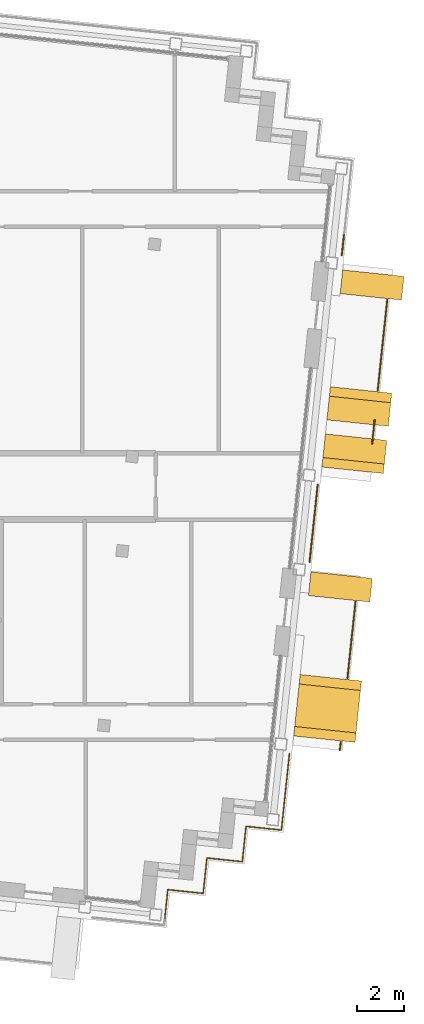
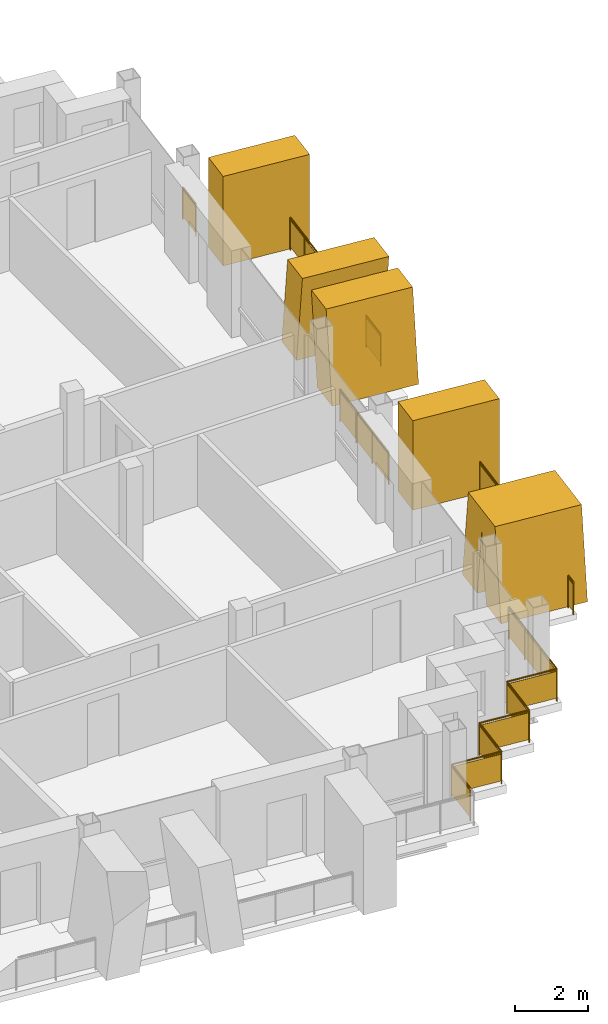
# One storey, part 14 of 16: 7 railings, 5 shading devices.
"""IFC4 building model written with IfcOpenShell, lengths in metres."""

from ifc_helpers import new_model, si_unit, direction, frame, origin, origin_2d, place, context, subcontext, project, spatial, polyline, rectangle, circle, outline, extrude, material, layer, layer_set, type_object, element, save


model = new_model("IFC4")

# Units and contexts
model_context = context("Model", 3, precision=1e-05, world=origin(), true_north=direction((0.0, 1.0)))
body_context = subcontext(model_context, "Body", "Model", "MODEL_VIEW")
ifc_project = project(units=[si_unit("LENGTHUNIT", "METRE"), si_unit("AREAUNIT", "SQUARE_METRE"), si_unit("VOLUMEUNIT", "CUBIC_METRE"), si_unit("PLANEANGLEUNIT", "RADIAN"), si_unit("MASSUNIT", "GRAM", prefix="KILO")], contexts=[model_context])

# Site, building, storey
site_placement = place(None, origin())
site = spatial("IfcSite", under=ifc_project, at=site_placement, CompositionType="ELEMENT")
building_placement = place(site_placement, origin())
building = spatial("IfcBuilding", under=site, at=building_placement, Name="Vidyagriha Tower", CompositionType="ELEMENT")
storey_placement = place(building_placement, frame((0.0, 0.0, 256.300048828125)))
storey = spatial("IfcBuildingStorey", under=building, at=storey_placement, Name="L66", CompositionType="ELEMENT", Elevation=256.300048828125)

# Railings
ifc_material_1 = material(Name="Steel ASTM A500 Grade C black painted", Category="steel")
railing_type_1 = type_object("IfcRailingType", Name="Balcony guard 1100", PredefinedType="BALUSTRADE", material=ifc_material_1)
railing_1_placement = place(storey_placement, frame((32.762451171875, -11.124755859375, 0.0)))
element("IfcRailing", 1, at=railing_1_placement, inside=storey, type_object=railing_type_1, Name="Balcony guard L66 R28.1-1", PredefinedType="BALUSTRADE", context=body_context, shape_type="SweptSolid", body=[
    extrude(circle(Radius=0.02490234375, at=origin_2d()), frame((0.0, 0.0, 1.0751953125), z_axis=(0.104684784518, 0.994505452921, 0.0), x_axis=(-0.994505452921, 0.104684784518, 0.0)), (0.0, 0.0, 1.0), 0.349853515625),
    extrude(circle(Radius=0.02001953125, at=origin_2d()), origin(), (0.0, 0.0, 1.0), 1.050048828125),
    extrude(circle(Radius=0.02001953125, at=origin_2d()), frame((0.03662109375, 0.347900390625, 0.0)), (0.0, 0.0, 1.0), 1.050048828125),
    extrude(rectangle(XDim=0.010009765625, YDim=0.900146484375, at=origin_2d()), frame((0.0, 0.0, 0.550048828125), z_axis=(0.104684784518, 0.994505452921, 0.0), x_axis=(-0.994505452921, 0.104684784518, 0.0)), (0.0, 0.0, 1.0), 0.349853515625),
])
railing_2_placement = place(storey_placement, frame((33.081298828125, -8.091552734375, 0.0)))
element("IfcRailing", 2, at=railing_2_placement, inside=storey, type_object=railing_type_1, Name="Balcony guard L66 R28.1-2", PredefinedType="BALUSTRADE", context=body_context, shape_type="SweptSolid", body=[
    extrude(circle(Radius=0.02490234375, at=origin_2d()), frame((0.0, 0.0, 1.0751953125), z_axis=(0.104567472619, 0.994517794547, 0.0), x_axis=(-0.994517794547, 0.104567472619, 0.0)), (0.0, 0.0, 1.0), 3.25),
    extrude(circle(Radius=0.02001953125, at=origin_2d()), origin(), (0.0, 0.0, 1.0), 1.050048828125),
    extrude(circle(Radius=0.02001953125, at=origin_2d()), frame((0.11328125, 1.077392578125, 0.0)), (0.0, 0.0, 1.0), 1.050048828125),
    extrude(circle(Radius=0.02001953125, at=origin_2d()), frame((0.2265625, 2.15478515625, 0.0)), (0.0, 0.0, 1.0), 1.050048828125),
    extrude(circle(Radius=0.02001953125, at=origin_2d()), frame((0.33984375, 3.232177734375, 0.0)), (0.0, 0.0, 1.0), 1.050048828125),
    extrude(rectangle(XDim=0.010009765625, YDim=0.900146484375, at=origin_2d()), frame((0.0, 0.0, 0.550048828125), z_axis=(0.104567472619, 0.994517794547, 0.0), x_axis=(-0.994517794547, 0.104567472619, 0.0)), (0.0, 0.0, 1.0), 3.25),
])
railing_3_placement = place(storey_placement, frame((34.121826171875, 1.807373046875, 0.0)))
element("IfcRailing", 3, at=railing_3_placement, inside=storey, type_object=railing_type_1, Name="Balcony guard L66 R28.2-1", PredefinedType="BALUSTRADE", context=body_context, shape_type="SweptSolid", body=[
    extrude(circle(Radius=0.02490234375, at=origin_2d()), frame((0.0, 0.0, 1.0751953125), z_axis=(0.104467261141, 0.994528326067, 0.0), x_axis=(-0.994528326067, 0.104467261141, 0.0)), (0.0, 0.0, 1.0), 0.9931640625),
    extrude(circle(Radius=0.02001953125, at=origin_2d()), origin(), (0.0, 0.0, 1.0), 1.050048828125),
    extrude(circle(Radius=0.02001953125, at=origin_2d()), frame((0.103759765625, 0.98779296875, 0.0)), (0.0, 0.0, 1.0), 1.050048828125),
    extrude(rectangle(XDim=0.010009765625, YDim=0.900146484375, at=origin_2d()), frame((0.0, 0.0, 0.550048828125), z_axis=(0.104467261141, 0.994528326067, 0.0), x_axis=(-0.994528326067, 0.104467261141, 0.0)), (0.0, 0.0, 1.0), 0.9931640625),
])
railing_4_placement = place(storey_placement, frame((34.356689453125, 4.041748046875, 0.0)))
element("IfcRailing", 4, at=railing_4_placement, inside=storey, type_object=railing_type_1, Name="Balcony guard L66 R28.2-2", PredefinedType="BALUSTRADE", context=body_context, shape_type="SweptSolid", body=[
    extrude(circle(Radius=0.02490234375, at=origin_2d()), frame((0.0, 0.0, 1.0751953125), z_axis=(0.104506528251, 0.994524200587, 0.0), x_axis=(-0.994524200587, 0.104506528251, 0.0)), (0.0, 0.0, 1.0), 3.849853515625),
    extrude(circle(Radius=0.02001953125, at=origin_2d()), origin(), (0.0, 0.0, 1.0), 1.050048828125),
    extrude(circle(Radius=0.02001953125, at=origin_2d()), frame((0.1005859375, 0.957275390625, 0.0)), (0.0, 0.0, 1.0), 1.050048828125),
    extrude(circle(Radius=0.02001953125, at=origin_2d()), frame((0.201171875, 1.91455078125, 0.0)), (0.0, 0.0, 1.0), 1.050048828125),
    extrude(circle(Radius=0.02001953125, at=origin_2d()), frame((0.3017578125, 2.87158203125, 0.0)), (0.0, 0.0, 1.0), 1.050048828125),
    extrude(circle(Radius=0.02001953125, at=origin_2d()), frame((0.40234375, 3.828857421875, 0.0)), (0.0, 0.0, 1.0), 1.050048828125),
    extrude(rectangle(XDim=0.010009765625, YDim=0.900146484375, at=origin_2d()), frame((0.0, 0.0, 0.550048828125), z_axis=(0.104506528251, 0.994524200587, 0.0), x_axis=(-0.994524200587, 0.104506528251, 0.0)), (0.0, 0.0, 1.0), 3.849853515625),
])

# Shading devices
ifc_material_2 = material(Name="Precast concrete C40/50 with buff brick facing", Category="concrete")
ifc_layer_1 = layer(ifc_material_2, 1.0)
ifc_layer_set_1 = layer_set([ifc_layer_1], Name="Precast concrete C40/50 with buff brick facing")
shading_device_type_1 = type_object("IfcShadingDeviceType", Name="Brick-faced blade fin arm leaning 8 degrees", PredefinedType="USERDEFINED", material=ifc_layer_set_1)
shading_device_1_placement = place(storey_placement, frame((33.2998046875, 0.68359375, 0.0), z_axis=(0.0, 0.0, 1.0), x_axis=(0.104457839748, 0.994529315664, 0.0)))
element("IfcShadingDevice", 5, at=shading_device_1_placement, inside=storey, type_object=shading_device_type_1, Name="Leaning blade fin L66 R28.1390a", ObjectType="BLADE FIN", PredefinedType="USERDEFINED", context=body_context, shape_type="SweptSolid", body=[
    extrude(outline(polyline([(0.0, 0.0), (1.0, 0.0), (1.39990234375, 3.0), (0.39990234375, 3.0), (0.0, 0.0)])), frame((0.0, 1.300048828125, 0.0), z_axis=(0.0, -1.0, 0.0), x_axis=(1.0, 0.0, 0.0)), (0.0, 0.0, 1.0), 2.60009765625),
])
shading_device_2_placement = place(storey_placement, frame((33.5087890625, 2.672607421875, 0.0), z_axis=(0.0, 0.0, 1.0), x_axis=(0.104612176701, 0.99451309317, 0.0)))
element("IfcShadingDevice", 6, at=shading_device_2_placement, inside=storey, type_object=shading_device_type_1, Name="Leaning blade fin L66 R28.1390b", ObjectType="BLADE FIN", PredefinedType="USERDEFINED", context=body_context, shape_type="SweptSolid", body=[
    extrude(outline(polyline([(0.39990234375, 0.0), (1.39990234375, 0.0), (1.0, 3.0), (0.0, 3.0), (0.39990234375, 0.0)])), frame((0.0, 1.300048828125, 0.0), z_axis=(0.0, -1.0, 0.0), x_axis=(1.0, 0.0, 0.0)), (0.0, 0.0, 1.0), 2.60009765625),
])
ifc_material_3 = material(Name="Precast concrete C40/50 with buff brick facing", Category="concrete")
ifc_layer_2 = layer(ifc_material_3, 1.0)
ifc_layer_set_2 = layer_set([ifc_layer_2], Name="Precast concrete C40/50 with buff brick facing")
shading_device_type_2 = type_object("IfcShadingDeviceType", Name="Brick-faced blade fin forking 8 degrees", PredefinedType="USERDEFINED", material=ifc_layer_set_2)
shading_device_3_placement = place(storey_placement, frame((32.108154296875, -10.65380859375, 0.0), z_axis=(0.0, 0.0, 1.0), x_axis=(0.104513699976, 0.994523446942, 0.0)))
element("IfcShadingDevice", 7, at=shading_device_3_placement, inside=storey, type_object=shading_device_type_2, Name="Forked blade fin L66 R28.250a", ObjectType="BLADE FIN", PredefinedType="USERDEFINED", context=body_context, shape_type="SweptSolid", body=[
    extrude(outline(polyline([(1.0, 0.0), (1.300048828125, 2.25), (1.60009765625, 0.0), (2.60009765625, 0.0), (2.199951171875, 3.0), (0.39990234375, 3.0), (0.0, 0.0), (1.0, 0.0)])), frame((0.0, 1.300048828125, 0.0), z_axis=(0.0, -1.0, 0.0), x_axis=(1.0, 0.0, 0.0)), (0.0, 0.0, 1.0), 2.60009765625),
])
ifc_material_4 = material(Name="Precast concrete C40/50 with buff brick facing", Category="concrete")
ifc_layer_3 = layer(ifc_material_4, 1.0)
ifc_layer_set_3 = layer_set([ifc_layer_3], Name="Precast concrete C40/50 with buff brick facing")
shading_device_type_3 = type_object("IfcShadingDeviceType", Name="Brick-faced blade fin stem 1000", PredefinedType="USERDEFINED", material=ifc_layer_set_3)
for number, where, z_axis, x_axis, name in (
    (8, (32.72998046875, -4.736328125, 0.0), (0.0, 0.0, 1.0), (0.104748335039, 0.99449876134, 0.0), "Stem blade fin L66 R28.990a"),
    (9, (34.068115234375, 7.993408203125, 0.0), (0.0, 0.0, 1.0), (0.104481464157, 0.994526834051, 0.0), "Stem blade fin L66 R28.2290a"),
):
    element("IfcShadingDevice", number, at=place(storey_placement, frame(where, z_axis=z_axis, x_axis=x_axis)), inside=storey, type_object=shading_device_type_3, Name=name, ObjectType="BLADE FIN", PredefinedType="USERDEFINED", context=body_context, shape_type="SweptSolid", body=[
        extrude(outline(polyline([(0.0, 0.0), (1.0, 0.0), (1.0, 3.0), (0.0, 3.0), (0.0, 0.0)])), frame((0.0, 1.300048828125, 0.0), z_axis=(0.0, -1.0, 0.0), x_axis=(1.0, 0.0, 0.0)), (0.0, 0.0, 1.0), 2.60009765625),
    ])

# Railings
ifc_material_5 = material(Name="Steel ASTM A500 Grade C black painted", Category="steel")
railing_type_2 = type_object("IfcRailingType", Name="Gallery guard 1100", PredefinedType="GUARDRAIL", material=ifc_material_5)
railing_5_placement = place(storey_placement, frame((32.93603515625, 10.615966796875, 0.0)))
element("IfcRailing", 10, at=railing_5_placement, inside=storey, type_object=railing_type_2, Name="Gallery guard L66 10", PredefinedType="GUARDRAIL", context=body_context, shape_type="SweptSolid", body=[
    extrude(circle(Radius=0.02490234375, at=origin_2d()), frame((0.0, 0.0, 1.0751953125), z_axis=(-0.104612561624, -0.99451305268, 0.0), x_axis=(0.99451305268, -0.104612561624, 0.0)), (0.0, 0.0, 1.0), 0.8798828125),
    extrude(circle(Radius=0.02001953125, at=origin_2d()), origin(), (0.0, 0.0, 1.0), 1.050048828125),
    extrude(circle(Radius=0.02001953125, at=origin_2d()), frame((-0.092041015625, -0.875, 0.0)), (0.0, 0.0, 1.0), 1.050048828125),
    extrude(rectangle(XDim=0.010009765625, YDim=0.900146484375, at=origin_2d()), frame((0.0, 0.0, 0.550048828125), z_axis=(-0.104612561624, -0.99451305268, 0.0), x_axis=(0.99451305268, -0.104612561624, 0.0)), (0.0, 0.0, 1.0), 0.8798828125),
])
railing_6_placement = place(storey_placement, frame((30.636474609375, -11.263427734375, 0.0)))
element("IfcRailing", 11, at=railing_6_placement, inside=storey, type_object=railing_type_2, Name="Gallery guard L66 11", PredefinedType="GUARDRAIL", context=body_context, shape_type="SweptSolid", body=[
    extrude(circle(Radius=0.02490234375, at=origin_2d()), frame((0.0, 0.0, 1.0751953125), z_axis=(-0.104590643799, -0.994515357966, 0.0), x_axis=(0.994515357966, -0.104590643799, 0.0)), (0.0, 0.0, 1.0), 3.239990234375),
    extrude(circle(Radius=0.02490234375, at=origin_2d()), frame((-0.3388671875, -3.22216796875, 1.0751953125), z_axis=(-0.994525057048, 0.104498377516, 0.0), x_axis=(-0.104498377516, -0.994525057048, 0.0)), (0.0, 0.0, 1.0), 1.5),
    extrude(circle(Radius=0.02490234375, at=origin_2d()), frame((-1.83056640625, -3.0654296875, 1.0751953125), z_axis=(-0.104498377516, -0.994525057048, 0.0), x_axis=(0.994525057048, -0.104498377516, 0.0)), (0.0, 0.0, 1.0), 1.5),
    extrude(circle(Radius=0.02490234375, at=origin_2d()), frame((-1.9873046875, -4.55712890625, 1.0751953125), z_axis=(-0.994525057048, 0.104498377516, 0.0), x_axis=(-0.104498377516, -0.994525057048, 0.0)), (0.0, 0.0, 1.0), 1.5),
    extrude(circle(Radius=0.02490234375, at=origin_2d()), frame((-3.47900390625, -4.400390625, 1.0751953125), z_axis=(-0.104659366031, -0.994508128223, 0.0), x_axis=(0.994508128223, -0.104659366031, 0.0)), (0.0, 0.0, 1.0), 1.5),
    extrude(circle(Radius=0.02490234375, at=origin_2d()), frame((-3.635986328125, -5.89208984375, 1.0751953125), z_axis=(-0.994525057048, 0.104498377516, 0.0), x_axis=(-0.104498377516, -0.994525057048, 0.0)), (0.0, 0.0, 1.0), 1.5),
    extrude(circle(Radius=0.02490234375, at=origin_2d()), frame((-5.127685546875, -5.7353515625, 1.0751953125), z_axis=(-0.104432637393, -0.994531962406, 0.0), x_axis=(0.994531962406, -0.104432637393, 0.0)), (0.0, 0.0, 1.0), 1.260009765625),
    extrude(circle(Radius=0.02001953125, at=origin_2d()), origin(), (0.0, 0.0, 1.0), 1.050048828125),
    extrude(circle(Radius=0.02001953125, at=origin_2d()), frame((-0.113037109375, -1.073974609375, 0.0)), (0.0, 0.0, 1.0), 1.050048828125),
    extrude(circle(Radius=0.02001953125, at=origin_2d()), frame((-0.225830078125, -2.148193359375, 0.0)), (0.0, 0.0, 1.0), 1.050048828125),
    extrude(circle(Radius=0.02001953125, at=origin_2d()), frame((-0.3388671875, -3.22216796875, 0.0)), (0.0, 0.0, 1.0), 1.050048828125),
    extrude(circle(Radius=0.02001953125, at=origin_2d()), frame((-1.83056640625, -3.0654296875, 0.0)), (0.0, 0.0, 1.0), 1.050048828125),
    extrude(circle(Radius=0.02001953125, at=origin_2d()), frame((-1.9873046875, -4.55712890625, 0.0)), (0.0, 0.0, 1.0), 1.050048828125),
    extrude(circle(Radius=0.02001953125, at=origin_2d()), frame((-3.47900390625, -4.400390625, 0.0)), (0.0, 0.0, 1.0), 1.050048828125),
    extrude(circle(Radius=0.02001953125, at=origin_2d()), frame((-3.635986328125, -5.89208984375, 0.0)), (0.0, 0.0, 1.0), 1.050048828125),
    extrude(circle(Radius=0.02001953125, at=origin_2d()), frame((-5.127685546875, -5.7353515625, 0.0)), (0.0, 0.0, 1.0), 1.050048828125),
    extrude(circle(Radius=0.02001953125, at=origin_2d()), frame((-5.25927734375, -6.988525390625, 0.0)), (0.0, 0.0, 1.0), 1.050048828125),
    extrude(rectangle(XDim=0.010009765625, YDim=0.900146484375, at=origin_2d()), frame((0.0, 0.0, 0.550048828125), z_axis=(-0.104590643799, -0.994515357966, 0.0), x_axis=(0.994515357966, -0.104590643799, 0.0)), (0.0, 0.0, 1.0), 3.239990234375),
    extrude(rectangle(XDim=0.010009765625, YDim=0.900146484375, at=origin_2d()), frame((-0.3388671875, -3.22216796875, 0.550048828125), z_axis=(-0.994525057048, 0.104498377516, 0.0), x_axis=(-0.104498377516, -0.994525057048, 0.0)), (0.0, 0.0, 1.0), 1.5),
    extrude(rectangle(XDim=0.010009765625, YDim=0.900146484375, at=origin_2d()), frame((-1.83056640625, -3.0654296875, 0.550048828125), z_axis=(-0.104498377516, -0.994525057048, 0.0), x_axis=(0.994525057048, -0.104498377516, 0.0)), (0.0, 0.0, 1.0), 1.5),
    extrude(rectangle(XDim=0.010009765625, YDim=0.900146484375, at=origin_2d()), frame((-1.9873046875, -4.55712890625, 0.550048828125), z_axis=(-0.994525057048, 0.104498377516, 0.0), x_axis=(-0.104498377516, -0.994525057048, 0.0)), (0.0, 0.0, 1.0), 1.5),
    extrude(rectangle(XDim=0.010009765625, YDim=0.900146484375, at=origin_2d()), frame((-3.47900390625, -4.400390625, 0.550048828125), z_axis=(-0.104659366031, -0.994508128223, 0.0), x_axis=(0.994508128223, -0.104659366031, 0.0)), (0.0, 0.0, 1.0), 1.5),
    extrude(rectangle(XDim=0.010009765625, YDim=0.900146484375, at=origin_2d()), frame((-3.635986328125, -5.89208984375, 0.550048828125), z_axis=(-0.994525057048, 0.104498377516, 0.0), x_axis=(-0.104498377516, -0.994525057048, 0.0)), (0.0, 0.0, 1.0), 1.5),
    extrude(rectangle(XDim=0.010009765625, YDim=0.900146484375, at=origin_2d()), frame((-5.127685546875, -5.7353515625, 0.550048828125), z_axis=(-0.104432637393, -0.994531962406, 0.0), x_axis=(0.994531962406, -0.104432637393, 0.0)), (0.0, 0.0, 1.0), 1.260009765625),
])
railing_7_placement = place(storey_placement, frame((31.827880859375, 0.07421875, 0.0)))
element("IfcRailing", 12, at=railing_7_placement, inside=storey, type_object=railing_type_2, Name="Gallery guard L66 13", PredefinedType="GUARDRAIL", context=body_context, shape_type="SweptSolid", body=[
    extrude(circle(Radius=0.02490234375, at=origin_2d()), frame((0.0, 0.0, 1.0751953125), z_axis=(-0.104506547029, -0.994524198614, 0.0), x_axis=(0.994524198614, -0.104506547029, 0.0)), (0.0, 0.0, 1.0), 3.280029296875),
    extrude(circle(Radius=0.02001953125, at=origin_2d()), origin(), (0.0, 0.0, 1.0), 1.050048828125),
    extrude(circle(Radius=0.02001953125, at=origin_2d()), frame((-0.1142578125, -1.08740234375, 0.0)), (0.0, 0.0, 1.0), 1.050048828125),
    extrude(circle(Radius=0.02001953125, at=origin_2d()), frame((-0.228515625, -2.174560546875, 0.0)), (0.0, 0.0, 1.0), 1.050048828125),
    extrude(circle(Radius=0.02001953125, at=origin_2d()), frame((-0.3427734375, -3.261962890625, 0.0)), (0.0, 0.0, 1.0), 1.050048828125),
    extrude(rectangle(XDim=0.010009765625, YDim=0.900146484375, at=origin_2d()), frame((0.0, 0.0, 0.550048828125), z_axis=(-0.104506547029, -0.994524198614, 0.0), x_axis=(0.994524198614, -0.104506547029, 0.0)), (0.0, 0.0, 1.0), 3.280029296875),
])

save(model, "model.ifc")
